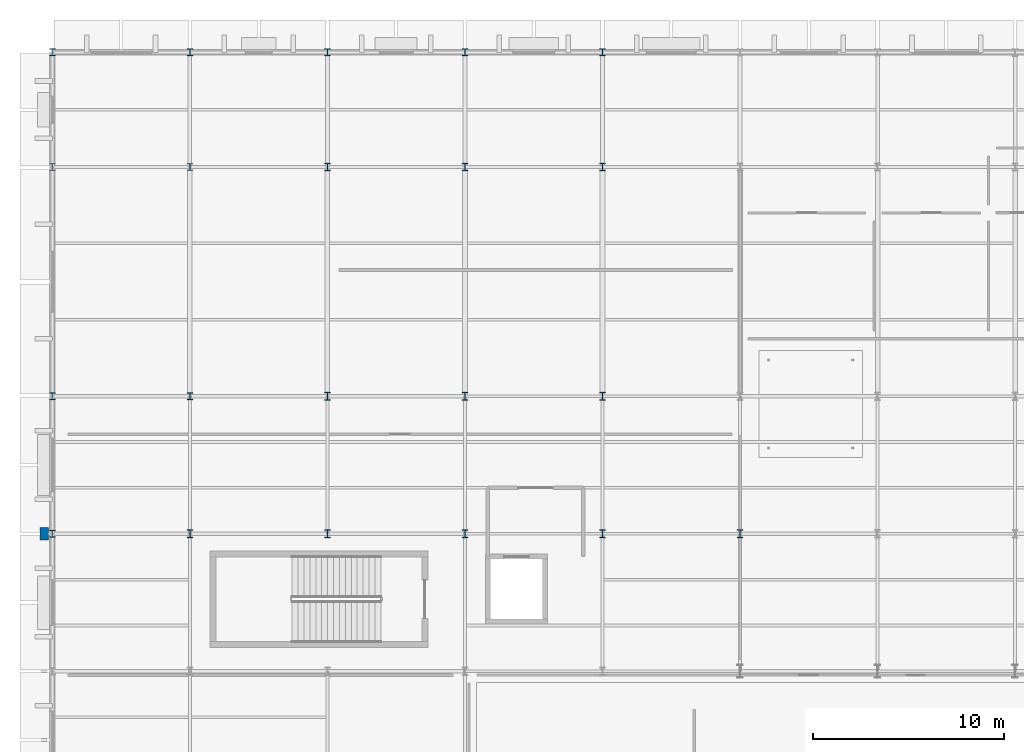
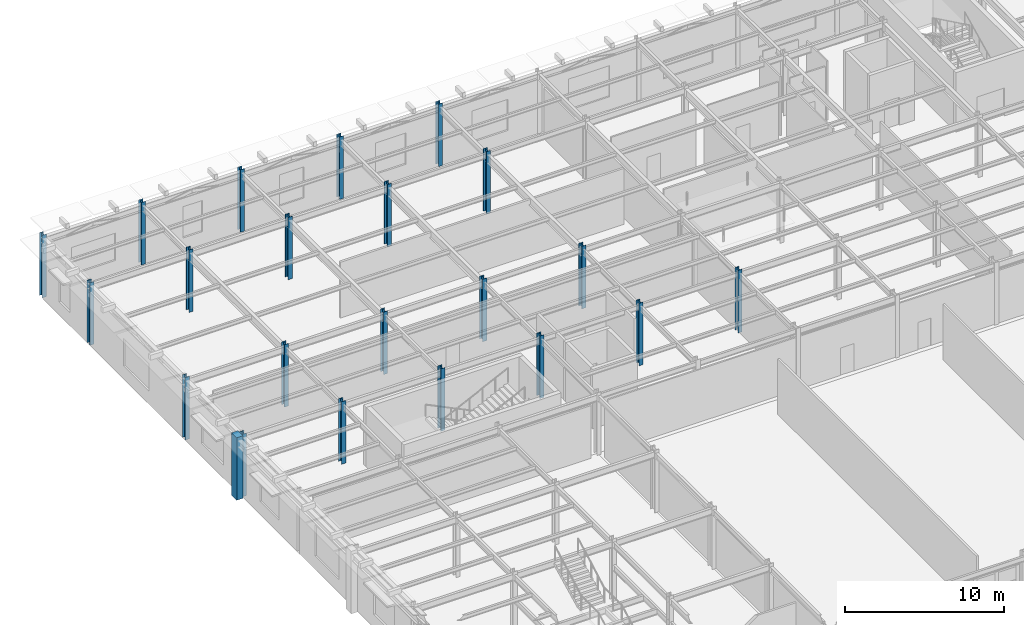
# One storey, part 10 of 126: 22 columns.
"""IFC4 building model written with IfcOpenShell, lengths in metres."""

from ifc_helpers import new_model, si_unit, direction, frame, origin, origin_2d, place, context, subcontext, project, spatial, rectangle, i_section, extrude, material, material_profile, profile_set, type_object, element, save


model = new_model("IFC4")

# Units and contexts
model_context = context("Model", 3, precision=1e-05, world=origin(), true_north=direction((0.0, 1.0)))
body_context = subcontext(model_context, "Body", "Model", "MODEL_VIEW")
ifc_project = project(units=[si_unit("LENGTHUNIT", "METRE"), si_unit("AREAUNIT", "SQUARE_METRE"), si_unit("VOLUMEUNIT", "CUBIC_METRE"), si_unit("PLANEANGLEUNIT", "RADIAN"), si_unit("MASSUNIT", "GRAM", prefix="KILO")], contexts=[model_context])

# Site, building, storey
site_placement = place(None, origin())
site = spatial("IfcSite", under=ifc_project, at=site_placement, CompositionType="ELEMENT")
building_placement = place(site_placement, origin())
building = spatial("IfcBuilding", under=site, at=building_placement, Name="Solvadek Multi-Sports Hall", CompositionType="ELEMENT")
storey_placement = place(building_placement, frame((0.0, 0.0, 9.60009765625)))
storey = spatial("IfcBuildingStorey", under=building, at=storey_placement, Name="L02", CompositionType="ELEMENT", Elevation=9.60009765625)

# Columns
ifc_material_1 = material(Name="Steel E350 (350 MPa)", Category="steel")
ifc_material_profile_1 = material_profile(ifc_material_1, i_section(OverallWidth=0.300048828125, OverallDepth=0.360107421875, WebThickness=0.012451171875, FlangeThickness=0.0224609375, at=origin_2d()), Name="WPB 360")
ifc_profile_set_1 = profile_set([ifc_material_profile_1], Name="Steel E350 (350 MPa)")
column_type_1 = type_object("IfcColumnType", Name="STR-COL-WPB360", PredefinedType="COLUMN", material=ifc_profile_set_1)
for number, where, z_axis, x_axis, name in (
    (1, (0.0, 85.199951171875, 0.0), (0.0, 0.0, 1.0), (1.0, 0.0, 0.0), "L02 Column C-08 #10"),
    (2, (0.0, 92.39990234375, 0.0), (0.0, 0.0, 1.0), (1.0, 0.0, 0.0), "L02 Column C-08 #11"),
    (3, (0.0, 104.39990234375, 0.0), (0.0, 0.0, 1.0), (1.0, 0.0, 0.0), "L02 Column C-08 #12"),
    (4, (0.0, 110.39990234375, 0.0), (0.0, 0.0, 1.0), (1.0, 0.0, 0.0), "L02 Column C-08 #13"),
    (5, (7.199951171875, 92.39990234375, 0.0), (0.0, 0.0, 1.0), (1.0, 0.0, 0.0), "L02 Column C-08 #24"),
    (6, (7.199951171875, 104.39990234375, 0.0), (0.0, 0.0, 1.0), (1.0, 0.0, 0.0), "L02 Column C-08 #25"),
    (7, (7.199951171875, 110.39990234375, 0.0), (0.0, 0.0, 1.0), (1.0, 0.0, 0.0), "L02 Column C-08 #26"),
    (8, (14.39990234375, 110.39990234375, 0.0), (0.0, 0.0, 1.0), (1.0, 0.0, 0.0), "L02 Column C-08 #39"),
    (9, (21.60009765625, 110.39990234375, 0.0), (0.0, 0.0, 1.0), (1.0, 0.0, 0.0), "L02 Column C-08 #52"),
    (10, (28.800048828125, 110.39990234375, 0.0), (0.0, 0.0, 1.0), (1.0, 0.0, 0.0), "L02 Column C-08 #65"),
):
    element("IfcColumn", number, at=place(storey_placement, frame(where, z_axis=z_axis, x_axis=x_axis)), inside=storey, type_object=column_type_1, Name=name, PredefinedType="COLUMN", context=body_context, shape_type="SweptSolid", body=[
        extrude(i_section(OverallWidth=0.300048828125, OverallDepth=0.360107421875, WebThickness=0.012451171875, FlangeThickness=0.0224609375, at=origin_2d()), origin(), (0.0, 0.0, 1.0), 4.7998046875),
    ])
ifc_material_profile_2 = material_profile(ifc_material_1, i_section(OverallWidth=0.300048828125, OverallDepth=0.39990234375, WebThickness=0.013427734375, FlangeThickness=0.02392578125, at=origin_2d()), Name="WPB 400")
ifc_profile_set_2 = profile_set([ifc_material_profile_2], Name="Steel E350 (350 MPa)")
column_type_2 = type_object("IfcColumnType", Name="STR-COL-WPB400", PredefinedType="COLUMN", material=ifc_profile_set_2)
for number, where, z_axis, x_axis, name in (
    (11, (7.199951171875, 85.199951171875, 0.0), (0.0, 0.0, 1.0), (1.0, 0.0, 0.0), "L02 Column C-07 #23"),
    (12, (14.39990234375, 85.199951171875, 0.0), (0.0, 0.0, 1.0), (1.0, 0.0, 0.0), "L02 Column C-07 #36"),
    (13, (14.39990234375, 92.39990234375, 0.0), (0.0, 0.0, 1.0), (1.0, 0.0, 0.0), "L02 Column C-07 #37"),
    (14, (14.39990234375, 104.39990234375, 0.0), (0.0, 0.0, 1.0), (1.0, 0.0, 0.0), "L02 Column C-07 #38"),
    (15, (21.60009765625, 85.199951171875, 0.0), (0.0, 0.0, 1.0), (1.0, 0.0, 0.0), "L02 Column C-07 #49"),
    (16, (21.60009765625, 92.39990234375, 0.0), (0.0, 0.0, 1.0), (1.0, 0.0, 0.0), "L02 Column C-07 #50"),
    (17, (21.60009765625, 104.39990234375, 0.0), (0.0, 0.0, 1.0), (1.0, 0.0, 0.0), "L02 Column C-07 #51"),
    (18, (28.800048828125, 85.199951171875, 0.0), (0.0, 0.0, 1.0), (1.0, 0.0, 0.0), "L02 Column C-07 #62"),
    (19, (28.800048828125, 92.39990234375, 0.0), (0.0, 0.0, 1.0), (1.0, 0.0, 0.0), "L02 Column C-07 #63"),
    (20, (28.800048828125, 104.39990234375, 0.0), (0.0, 0.0, 1.0), (1.0, 0.0, 0.0), "L02 Column C-07 #64"),
    (21, (36.0, 85.199951171875, 0.0), (0.0, 0.0, 1.0), (1.0, 0.0, 0.0), "L02 Column C-07 #77"),
):
    element("IfcColumn", number, at=place(storey_placement, frame(where, z_axis=z_axis, x_axis=x_axis)), inside=storey, type_object=column_type_2, Name=name, PredefinedType="COLUMN", context=body_context, shape_type="SweptSolid", body=[
        extrude(i_section(OverallWidth=0.300048828125, OverallDepth=0.39990234375, WebThickness=0.013427734375, FlangeThickness=0.02392578125, at=origin_2d()), origin(), (0.0, 0.0, 1.0), 4.7998046875),
    ])
ifc_material_2 = material(Name="Precast concrete M40", Category="concrete")
ifc_material_profile_3 = material_profile(ifc_material_2, rectangle(XDim=0.449951171875, YDim=0.64990234375, at=origin_2d()), Name="RC PILASTER 650x450")
ifc_profile_set_3 = profile_set([ifc_material_profile_3], Name="Precast concrete M40")
column_type_3 = type_object("IfcColumnType", Name="STR-PIL-650X450", PredefinedType="PILASTER", material=ifc_profile_set_3)
column_placement = place(storey_placement, frame((-0.419921875, 85.199951171875, 0.0), z_axis=(0.0, 0.0, 1.0), x_axis=(1.0, 0.0, 0.0)))
element("IfcColumn", 22, at=column_placement, inside=storey, type_object=column_type_3, Name="L02 Column CP-01 #316", PredefinedType="PILASTER", context=body_context, shape_type="SweptSolid", body=[
    extrude(rectangle(XDim=0.449951171875, YDim=0.64990234375, at=origin_2d()), origin(), (0.0, 0.0, 1.0), 4.7998046875),
])

save(model, "model.ifc")
